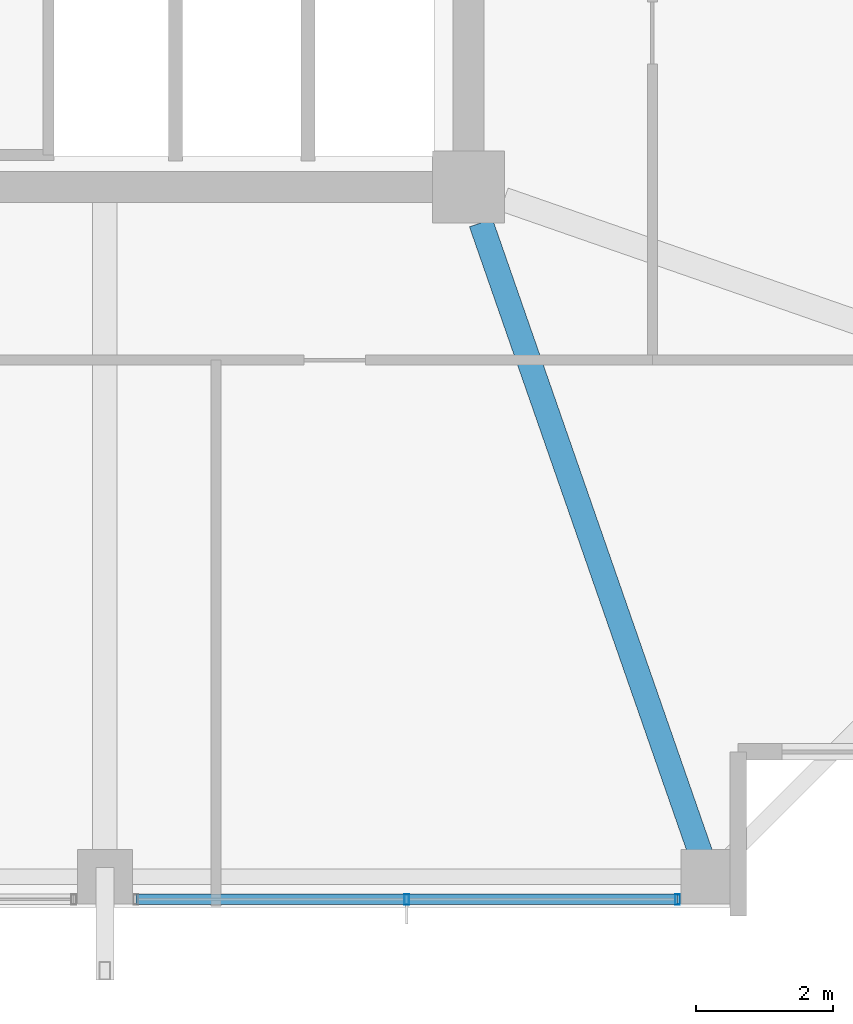
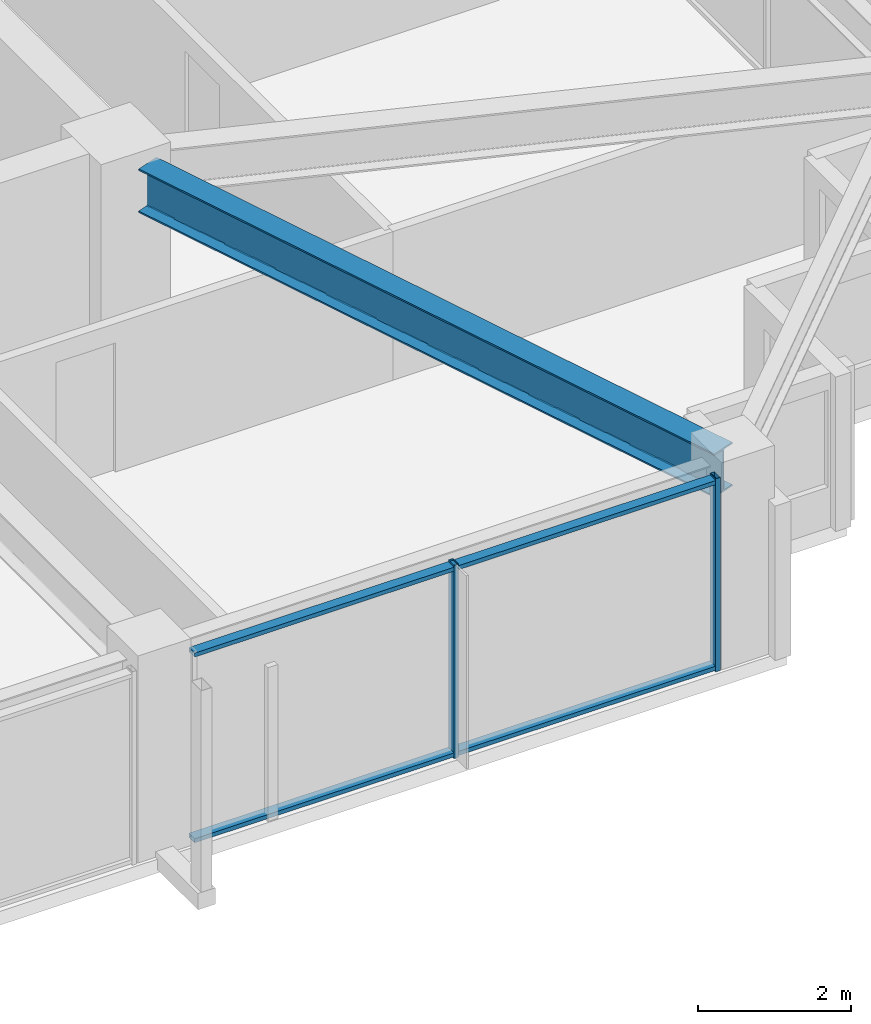
# One storey, part 10 of 33: 4 members, 1 beam, 1 element without a shape of its own.
"""IFC4 building model written with IfcOpenShell, lengths in metres."""

from ifc_helpers import new_model, si_unit, direction, frame, origin, origin_2d, place, context, subcontext, project, spatial, hollow_rectangle, i_section, extrude, material, material_profile, profile_set, type_object, element, aggregate, save


model = new_model("IFC4")

# Units and contexts
model_context = context("Model", 3, precision=1e-05, world=origin(), true_north=direction((0.0, 1.0)))
body_context = subcontext(model_context, "Body", "Model", "MODEL_VIEW")
ifc_project = project(units=[si_unit("LENGTHUNIT", "METRE"), si_unit("AREAUNIT", "SQUARE_METRE"), si_unit("VOLUMEUNIT", "CUBIC_METRE"), si_unit("PLANEANGLEUNIT", "RADIAN"), si_unit("MASSUNIT", "GRAM", prefix="KILO")], contexts=[model_context])

# Site, building, storey
site_placement = place(None, origin())
site = spatial("IfcSite", under=ifc_project, at=site_placement, CompositionType="ELEMENT")
building_placement = place(site_placement, origin())
building = spatial("IfcBuilding", under=site, at=building_placement, Name="Kolvaren Belvedere", CompositionType="ELEMENT")
storey_placement = place(building_placement, frame((0.0, 0.0, 209.699951171875)))
storey = spatial("IfcBuildingStorey", under=building, at=storey_placement, Name="L61", CompositionType="ELEMENT", Elevation=209.699951171875)

# Beam
ifc_material_1 = material(Name="Structural steel ASTM A992 Grade 50", Category="steel")
ifc_material_profile_1 = material_profile(ifc_material_1, i_section(OverallWidth=0.35498046875, OverallDepth=0.696044921875, WebThickness=0.015380859375, FlangeThickness=0.02490234375, FilletRadius=0.02197265625, at=origin_2d()), Name="W27X146")
ifc_profile_set_1 = profile_set([ifc_material_profile_1], Name="Structural steel ASTM A992 Grade 50")
beam_type = type_object("IfcBeamType", Name="BM-GIRD-W27X146", PredefinedType="BEAM", material=ifc_profile_set_1)
beam_placement = place(storey_placement, frame((10.080810546875, -10.41943359375, 2.73193359375), z_axis=(0.328898147971, -0.944365399758, 0.0), x_axis=(0.944365399758, 0.328898147971, 0.0)))
element("IfcBeam", 1, at=beam_placement, inside=storey, type_object=beam_type, Name="L61 Corner Core-to-Perimeter Girder CC2-S4", PredefinedType="BEAM", context=body_context, shape_type="SweptSolid", body=[
    extrude(i_section(OverallWidth=0.35498046875, OverallDepth=0.696044921875, WebThickness=0.015380859375, FlangeThickness=0.02490234375, FilletRadius=0.02197265625, at=origin_2d()), origin(), (0.0, 0.0, 1.0), 9.931884765625),
])

# Curtain wall, members
ifc_material_2 = material(Name="Anodised pale-metal aluminium AA 6063-T6", Category="aluminium")
curtain_wall_type = type_object("IfcCurtainWallType", Name="CW-Z5-HIGH", PredefinedType="NOTDEFINED", material=ifc_material_2)
curtain_wall_placement = place(storey_placement, origin())
curtain_wall = element("IfcCurtainWall", 2, at=curtain_wall_placement, inside=storey, type_object=curtain_wall_type, Name="L61 Unitised Curtain Wall FCW-L61-S-B1", PredefinedType="NOTDEFINED")
ifc_material_3 = material(Name="Anodised pale-metal aluminium AA 6063-T6", Category="aluminium")
ifc_material_profile_2 = material_profile(ifc_material_3, hollow_rectangle(XDim=0.070068359375, YDim=0.14990234375, WallThickness=0.004150390625, at=origin_2d()), Name="ALU-MUL-150X70")
ifc_profile_set_2 = profile_set([ifc_material_profile_2], Name="Anodised pale-metal aluminium AA 6063-T6")
member_type_1 = type_object("IfcMemberType", Name="CW-MUL-150", PredefinedType="MULLION", material=ifc_profile_set_2)
member_1_placement = place(storey_placement, frame((12.945068359375, -20.280029296875, 0.0), z_axis=(0.0, 0.0, 1.0), x_axis=(1.0, 0.0, 0.0)))
member_1 = element("IfcMember", 3, at=member_1_placement, type_object=member_type_1, Name="FCW-L61-S-B1 Unitised Mullion 1", PredefinedType="MULLION", context=body_context, shape_type="SweptSolid", body=[
    extrude(hollow_rectangle(XDim=0.070068359375, YDim=0.14990234375, WallThickness=0.004150390625, at=origin_2d()), origin(), (0.0, 0.0, 1.0), 3.080078125),
])
member_2_placement = place(storey_placement, frame((9.0, -20.280029296875, 0.0), z_axis=(0.0, 0.0, 1.0), x_axis=(1.0, 0.0, 0.0)))
member_2 = element("IfcMember", 4, at=member_2_placement, type_object=member_type_1, Name="FCW-L61-S-B1 Unitised Mullion 2", PredefinedType="MULLION", context=body_context, shape_type="SweptSolid", body=[
    extrude(hollow_rectangle(XDim=0.070068359375, YDim=0.14990234375, WallThickness=0.004150390625, at=origin_2d()), origin(), (0.0, 0.0, 1.0), 3.080078125),
])
ifc_material_4 = material(Name="Anodised pale-metal aluminium AA 6063-T6", Category="aluminium")
ifc_material_profile_3 = material_profile(ifc_material_4, hollow_rectangle(XDim=0.06494140625, YDim=0.14990234375, WallThickness=0.00390625, at=origin_2d()), Name="ALU-TRN-150X65")
ifc_profile_set_3 = profile_set([ifc_material_profile_3], Name="Anodised pale-metal aluminium AA 6063-T6")
member_type_2 = type_object("IfcMemberType", Name="CW-TRN-150", PredefinedType="USERDEFINED", material=ifc_profile_set_3)
member_3_placement = place(storey_placement, frame((12.945068359375, -20.280029296875, 0.06005859375), z_axis=(-1.0, 0.0, 0.0), x_axis=(0.0, 0.0, 1.0)))
member_3 = element("IfcMember", 5, at=member_3_placement, type_object=member_type_2, Name="FCW-L61-S-B1 Sill Transom", ObjectType="TRANSOM", PredefinedType="USERDEFINED", context=body_context, shape_type="SweptSolid", body=[
    extrude(hollow_rectangle(XDim=0.06494140625, YDim=0.14990234375, WallThickness=0.00390625, at=origin_2d()), origin(), (0.0, 0.0, 1.0), 7.89013671875),
])
member_4_placement = place(storey_placement, frame((12.945068359375, -20.280029296875, 3.02001953125), z_axis=(-1.0, 0.0, 0.0), x_axis=(0.0, 0.0, 1.0)))
member_4 = element("IfcMember", 6, at=member_4_placement, type_object=member_type_2, Name="FCW-L61-S-B1 Head Transom", ObjectType="TRANSOM", PredefinedType="USERDEFINED", context=body_context, shape_type="SweptSolid", body=[
    extrude(hollow_rectangle(XDim=0.06494140625, YDim=0.14990234375, WallThickness=0.00390625, at=origin_2d()), origin(), (0.0, 0.0, 1.0), 7.89013671875),
])
aggregate(curtain_wall, [member_1, member_2, member_3, member_4])

save(model, "model.ifc")
